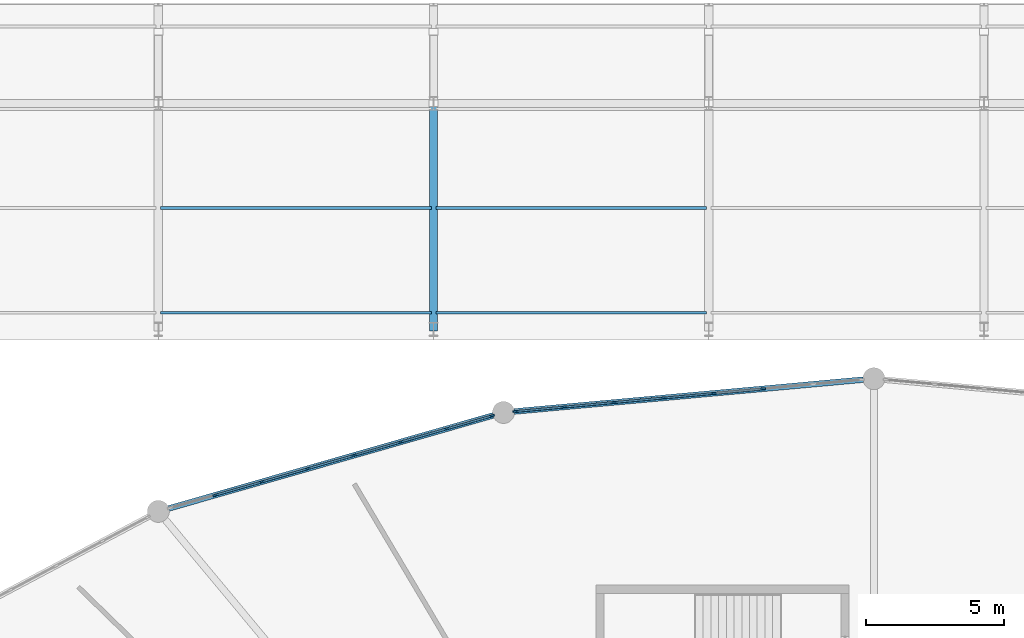
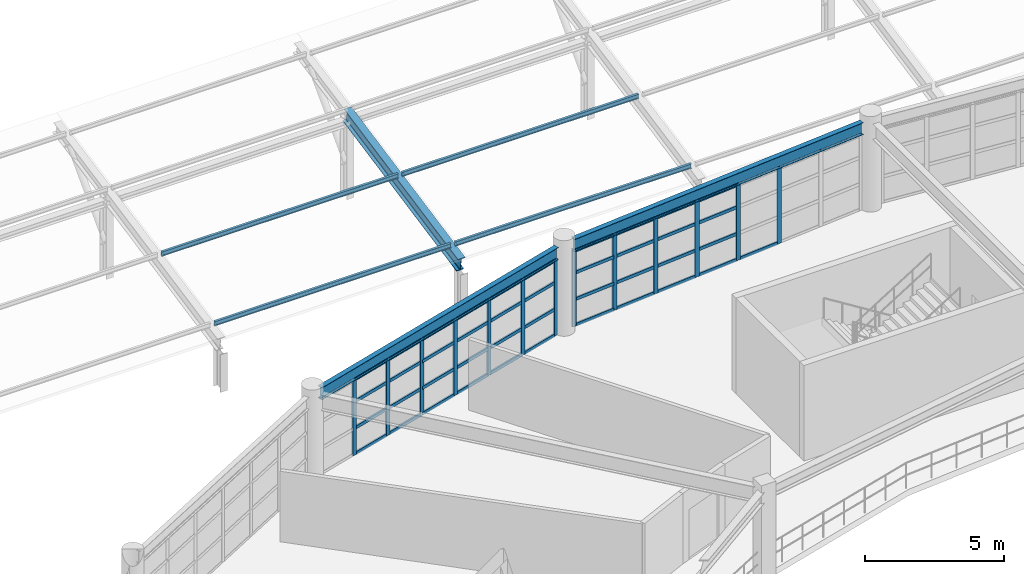
# One storey, part 38 of 100: 58 members, 3 beams, 2 elements without a shape of their own.
"""IFC4 building model written with IfcOpenShell, lengths in metres."""

from ifc_helpers import new_model, si_unit, direction, frame, origin, origin_2d, place, context, subcontext, project, spatial, rectangle, i_section, extrude, material, layer, layer_set, material_profile, profile_set, type_object, element, aggregate, save


model = new_model("IFC4")

# Units and contexts
model_context = context("Model", 3, precision=1e-05, world=origin(), true_north=direction((0.0, 1.0)))
body_context = subcontext(model_context, "Body", "Model", "MODEL_VIEW")
ifc_project = project(units=[si_unit("LENGTHUNIT", "METRE"), si_unit("AREAUNIT", "SQUARE_METRE"), si_unit("VOLUMEUNIT", "CUBIC_METRE"), si_unit("PLANEANGLEUNIT", "RADIAN"), si_unit("MASSUNIT", "GRAM", prefix="KILO")], contexts=[model_context])

# Site, building, storey
site_placement = place(None, origin())
site = spatial("IfcSite", under=ifc_project, at=site_placement, CompositionType="ELEMENT")
building_placement = place(site_placement, origin())
building = spatial("IfcBuilding", under=site, at=building_placement, Name="Kivolera Central Railway Station", CompositionType="ELEMENT")
storey_placement = place(building_placement, frame((0.0, 0.0, 5.39990234375)))
storey = spatial("IfcBuildingStorey", under=building, at=storey_placement, Name="L01", CompositionType="ELEMENT", Elevation=5.39990234375)

# Beams
ifc_material_1 = material(Name="Steel S355", Category="steel")
ifc_material_profile_1 = material_profile(ifc_material_1, i_section(OverallWidth=0.300048828125, OverallDepth=0.60009765625, WebThickness=0.015380859375, FlangeThickness=0.030029296875, FilletRadius=0.027099609375, at=origin_2d()), Name="HEB 600")
ifc_profile_set_1 = profile_set([ifc_material_profile_1], Name="Steel S355")
beam_type_1 = type_object("IfcBeamType", Name="BM-CAN-MAIN", PredefinedType="BEAM", material=ifc_profile_set_1)
beam_1_placement = place(storey_placement, frame((48.0, 127.800048828125, 1.940185546875), z_axis=(0.0, 0.98058292142, 0.196104906159), x_axis=(-1.0, 0.0, 0.0)))
element("IfcBeam", 1, at=beam_1_placement, inside=storey, type_object=beam_type_1, Name="Forecourt Canopy Main Back-Span Girder 3", PredefinedType="BEAM", context=body_context, shape_type="SweptSolid", body=[
    extrude(i_section(OverallWidth=0.300048828125, OverallDepth=0.60009765625, WebThickness=0.015380859375, FlangeThickness=0.030029296875, FilletRadius=0.027099609375, at=origin_2d()), origin(), (0.0, 0.0, 1.0), 8.3623046875),
])
ifc_material_profile_2 = material_profile(ifc_material_1, i_section(OverallWidth=0.209228515625, OverallDepth=0.533203125, WebThickness=0.010009765625, FlangeThickness=0.015625, FilletRadius=0.0126953125, at=origin_2d()), Name="UB 533x210x92")
ifc_profile_set_2 = profile_set([ifc_material_profile_2], Name="Steel S355")
beam_type_2 = type_object("IfcBeamType", Name="BM-SHD-UB533", PredefinedType="BEAM", material=ifc_profile_set_2)
beam_2_placement = place(storey_placement, frame((63.612060546875, 125.965087890625, 3.611083984375), z_axis=(-0.9958650324, -0.090845127787, 0.0), x_axis=(0.090845127787, -0.9958650324, 0.0)))
element("IfcBeam", 2, at=beam_2_placement, inside=storey, type_object=beam_type_2, Name="L01 Oval Perimeter Ring Beam 07", PredefinedType="BEAM", context=body_context, shape_type="SweptSolid", body=[
    extrude(i_section(OverallWidth=0.209228515625, OverallDepth=0.533203125, WebThickness=0.010009765625, FlangeThickness=0.015625, FilletRadius=0.0126953125, at=origin_2d()), origin(), (0.0, 0.0, 1.0), 12.73583984375),
])
beam_3_placement = place(storey_placement, frame((50.166015625, 124.666015625, 3.611083984375), z_axis=(-0.961238780007, -0.275717260631, 0.0), x_axis=(0.275717260631, -0.961238780007, 0.0)))
element("IfcBeam", 3, at=beam_3_placement, inside=storey, type_object=beam_type_2, Name="L01 Oval Perimeter Ring Beam 08", PredefinedType="BEAM", context=body_context, shape_type="SweptSolid", body=[
    extrude(i_section(OverallWidth=0.209228515625, OverallDepth=0.533203125, WebThickness=0.010009765625, FlangeThickness=0.015625, FilletRadius=0.0126953125, at=origin_2d()), origin(), (0.0, 0.0, 1.0), 12.266357421875),
])

# Curtain wall, members
ifc_material_2 = material(Name="Anodised aluminium", Category="aluminium")
ifc_layer_1 = layer(ifc_material_2, 0.179931640625, Name="Anodised aluminium")
ifc_layer_set_1 = layer_set([ifc_layer_1], Name="Anodised aluminium")
curtain_wall_type_1 = type_object("IfcCurtainWallType", Name="CW-SYS-12", PredefinedType="NOTDEFINED", material=ifc_layer_set_1)
curtain_wall_1_placement = place(storey_placement, origin())
curtain_wall_1 = element("IfcCurtainWall", 4, at=curtain_wall_1_placement, inside=storey, type_object=curtain_wall_type_1, Name="L01 Curtain Wall CW-L01-OVL-06", PredefinedType="NOTDEFINED")
ifc_material_profile_3 = material_profile(ifc_material_2, rectangle(XDim=0.070068359375, YDim=0.179931640625, at=origin_2d()), Name="ALU MULL 70x180")
ifc_profile_set_3 = profile_set([ifc_material_profile_3], Name="Anodised aluminium")
member_type_1 = type_object("IfcMemberType", Name="CWM-MUL-1", PredefinedType="MULLION", material=ifc_profile_set_3)
member_1_placement = place(storey_placement, frame((50.973876953125, 124.812255859375, -0.0048828125), z_axis=(0.0, 0.0, 1.0), x_axis=(-0.090833556942, 0.995866087852, 0.0)))
member_1 = element("IfcMember", 5, at=member_1_placement, type_object=member_type_1, Name="CW-12 mullion 1", PredefinedType="MULLION", context=body_context, shape_type="SweptSolid", body=[
    extrude(rectangle(XDim=0.070068359375, YDim=0.179931640625, at=origin_2d()), origin(), (0.0, 0.0, 1.0), 3.344970703125),
])
member_2_placement = place(storey_placement, frame((52.748046875, 124.97412109375, -0.0048828125), z_axis=(0.0, 0.0, 1.0), x_axis=(-0.090833556942, 0.995866087852, 0.0)))
member_2 = element("IfcMember", 6, at=member_2_placement, type_object=member_type_1, Name="CW-12 mullion 2", PredefinedType="MULLION", context=body_context, shape_type="SweptSolid", body=[
    extrude(rectangle(XDim=0.070068359375, YDim=0.179931640625, at=origin_2d()), origin(), (0.0, 0.0, 1.0), 3.344970703125),
])
member_3_placement = place(storey_placement, frame((54.556884765625, 125.138916015625, -0.0048828125), z_axis=(0.0, 0.0, 1.0), x_axis=(-0.090833556942, 0.995866087852, 0.0)))
member_3 = element("IfcMember", 7, at=member_3_placement, type_object=member_type_1, Name="CW-12 mullion 3", PredefinedType="MULLION", context=body_context, shape_type="SweptSolid", body=[
    extrude(rectangle(XDim=0.070068359375, YDim=0.179931640625, at=origin_2d()), origin(), (0.0, 0.0, 1.0), 3.344970703125),
])
member_4_placement = place(storey_placement, frame((56.365966796875, 125.303955078125, -0.0048828125), z_axis=(0.0, 0.0, 1.0), x_axis=(-0.090833556942, 0.995866087852, 0.0)))
member_4 = element("IfcMember", 8, at=member_4_placement, type_object=member_type_1, Name="CW-12 mullion 4", PredefinedType="MULLION", context=body_context, shape_type="SweptSolid", body=[
    extrude(rectangle(XDim=0.070068359375, YDim=0.179931640625, at=origin_2d()), origin(), (0.0, 0.0, 1.0), 3.344970703125),
])
member_5_placement = place(storey_placement, frame((58.175048828125, 125.468994140625, -0.0048828125), z_axis=(0.0, 0.0, 1.0), x_axis=(-0.090833556942, 0.995866087852, 0.0)))
member_5 = element("IfcMember", 9, at=member_5_placement, type_object=member_type_1, Name="CW-12 mullion 5", PredefinedType="MULLION", context=body_context, shape_type="SweptSolid", body=[
    extrude(rectangle(XDim=0.070068359375, YDim=0.179931640625, at=origin_2d()), origin(), (0.0, 0.0, 1.0), 3.344970703125),
])
member_6_placement = place(storey_placement, frame((59.98388671875, 125.634033203125, -0.0048828125), z_axis=(0.0, 0.0, 1.0), x_axis=(-0.090833556942, 0.995866087852, 0.0)))
member_6 = element("IfcMember", 10, at=member_6_placement, type_object=member_type_1, Name="CW-12 mullion 6", PredefinedType="MULLION", context=body_context, shape_type="SweptSolid", body=[
    extrude(rectangle(XDim=0.070068359375, YDim=0.179931640625, at=origin_2d()), origin(), (0.0, 0.0, 1.0), 3.344970703125),
])

ifc_layer_2 = layer(ifc_material_2, 0.179931640625, Name="Anodised aluminium")
ifc_layer_set_2 = layer_set([ifc_layer_2], Name="Anodised aluminium")
curtain_wall_type_2 = type_object("IfcCurtainWallType", Name="CW-SYS-10", PredefinedType="NOTDEFINED", material=ifc_layer_set_2)
curtain_wall_2_placement = place(storey_placement, origin())
curtain_wall_2 = element("IfcCurtainWall", 11, at=curtain_wall_2_placement, inside=storey, type_object=curtain_wall_type_2, Name="L01 Curtain Wall CW-L01-OVL-07", PredefinedType="NOTDEFINED")
member_7_placement = place(storey_placement, frame((40.066650390625, 121.769287109375, -0.0048828125), z_axis=(0.0, 0.0, 1.0), x_axis=(-0.27569168989, 0.961246114232, 0.0)))
member_7 = element("IfcMember", 12, at=member_7_placement, type_object=member_type_1, Name="CW-10 mullion 2", PredefinedType="MULLION", context=body_context, shape_type="SweptSolid", body=[
    extrude(rectangle(XDim=0.070068359375, YDim=0.179931640625, at=origin_2d()), origin(), (0.0, 0.0, 1.0), 3.344970703125),
])
member_8_placement = place(storey_placement, frame((41.748046875, 122.25146484375, -0.0048828125), z_axis=(0.0, 0.0, 1.0), x_axis=(-0.27569168989, 0.961246114232, 0.0)))
member_8 = element("IfcMember", 13, at=member_8_placement, type_object=member_type_1, Name="CW-10 mullion 3", PredefinedType="MULLION", context=body_context, shape_type="SweptSolid", body=[
    extrude(rectangle(XDim=0.070068359375, YDim=0.179931640625, at=origin_2d()), origin(), (0.0, 0.0, 1.0), 3.344970703125),
])
member_9_placement = place(storey_placement, frame((43.4296875, 122.73388671875, -0.0048828125), z_axis=(0.0, 0.0, 1.0), x_axis=(-0.27569168989, 0.961246114232, 0.0)))
member_9 = element("IfcMember", 14, at=member_9_placement, type_object=member_type_1, Name="CW-10 mullion 4", PredefinedType="MULLION", context=body_context, shape_type="SweptSolid", body=[
    extrude(rectangle(XDim=0.070068359375, YDim=0.179931640625, at=origin_2d()), origin(), (0.0, 0.0, 1.0), 3.344970703125),
])
member_10_placement = place(storey_placement, frame((45.111328125, 123.216064453125, -0.0048828125), z_axis=(0.0, 0.0, 1.0), x_axis=(-0.27569168989, 0.961246114232, 0.0)))
member_10 = element("IfcMember", 15, at=member_10_placement, type_object=member_type_1, Name="CW-10 mullion 5", PredefinedType="MULLION", context=body_context, shape_type="SweptSolid", body=[
    extrude(rectangle(XDim=0.070068359375, YDim=0.179931640625, at=origin_2d()), origin(), (0.0, 0.0, 1.0), 3.344970703125),
])
member_11_placement = place(storey_placement, frame((46.79296875, 123.698486328125, -0.0048828125), z_axis=(0.0, 0.0, 1.0), x_axis=(-0.27569168989, 0.961246114232, 0.0)))
member_11 = element("IfcMember", 16, at=member_11_placement, type_object=member_type_1, Name="CW-10 mullion 6", PredefinedType="MULLION", context=body_context, shape_type="SweptSolid", body=[
    extrude(rectangle(XDim=0.070068359375, YDim=0.179931640625, at=origin_2d()), origin(), (0.0, 0.0, 1.0), 3.344970703125),
])
member_12_placement = place(storey_placement, frame((48.474365234375, 124.1806640625, -0.0048828125), z_axis=(0.0, 0.0, 1.0), x_axis=(-0.27569168989, 0.961246114232, 0.0)))
member_12 = element("IfcMember", 17, at=member_12_placement, type_object=member_type_1, Name="CW-10 mullion 7", PredefinedType="MULLION", context=body_context, shape_type="SweptSolid", body=[
    extrude(rectangle(XDim=0.070068359375, YDim=0.179931640625, at=origin_2d()), origin(), (0.0, 0.0, 1.0), 3.344970703125),
])
member_13_placement = place(storey_placement, frame((50.122314453125, 124.6533203125, -0.0048828125), z_axis=(0.0, 0.0, 1.0), x_axis=(-0.27569168989, 0.961246114232, 0.0)))
member_13 = element("IfcMember", 18, at=member_13_placement, type_object=member_type_1, Name="CW-10 mullion 8", PredefinedType="MULLION", context=body_context, shape_type="SweptSolid", body=[
    extrude(rectangle(XDim=0.070068359375, YDim=0.179931640625, at=origin_2d()), origin(), (0.0, 0.0, 1.0), 3.344970703125),
])

# Member
ifc_material_profile_4 = material_profile(ifc_material_2, rectangle(XDim=0.070068359375, YDim=0.139892578125, at=origin_2d()), Name="ALU TRAN 70x140")
ifc_profile_set_4 = profile_set([ifc_material_profile_4], Name="Anodised aluminium")
member_type_2 = type_object("IfcMemberType", Name="CWM-TRN-1", PredefinedType="USERDEFINED", material=ifc_profile_set_4)
member_14_placement = place(storey_placement, frame((51.0087890625, 124.8154296875, 0.03515625), z_axis=(0.995875648211, 0.090728679596, 0.0), x_axis=(-0.090728679596, 0.995875648211, 0.0)))
member_14 = element("IfcMember", 19, at=member_14_placement, type_object=member_type_2, Name="CW-12 transom 1.1", ObjectType="TRANSOM", PredefinedType="USERDEFINED", context=body_context, shape_type="SweptSolid", body=[
    extrude(rectangle(XDim=0.070068359375, YDim=0.139892578125, at=origin_2d()), origin(), (0.0, 0.0, 1.0), 1.71142578125),
])

member_15_placement = place(storey_placement, frame((51.0087890625, 124.8154296875, 1.169189453125), z_axis=(0.995875648211, 0.090728679596, 0.0), x_axis=(-0.090728679596, 0.995875648211, 0.0)))
member_15 = element("IfcMember", 20, at=member_15_placement, type_object=member_type_2, Name="CW-12 transom 1.2", ObjectType="TRANSOM", PredefinedType="USERDEFINED", context=body_context, shape_type="SweptSolid", body=[
    extrude(rectangle(XDim=0.070068359375, YDim=0.139892578125, at=origin_2d()), origin(), (0.0, 0.0, 1.0), 1.71142578125),
])

member_16_placement = place(storey_placement, frame((51.0087890625, 124.8154296875, 2.338134765625), z_axis=(0.995875648211, 0.090728679596, 0.0), x_axis=(-0.090728679596, 0.995875648211, 0.0)))
member_16 = element("IfcMember", 21, at=member_16_placement, type_object=member_type_2, Name="CW-12 transom 1.3", ObjectType="TRANSOM", PredefinedType="USERDEFINED", context=body_context, shape_type="SweptSolid", body=[
    extrude(rectangle(XDim=0.070068359375, YDim=0.139892578125, at=origin_2d()), origin(), (0.0, 0.0, 1.0), 1.71142578125),
])

member_17_placement = place(storey_placement, frame((51.0087890625, 124.8154296875, 3.30517578125), z_axis=(0.995875648211, 0.090728679596, 0.0), x_axis=(-0.090728679596, 0.995875648211, 0.0)))
member_17 = element("IfcMember", 22, at=member_17_placement, type_object=member_type_2, Name="CW-12 transom 1.4", ObjectType="TRANSOM", PredefinedType="USERDEFINED", context=body_context, shape_type="SweptSolid", body=[
    extrude(rectangle(XDim=0.070068359375, YDim=0.139892578125, at=origin_2d()), origin(), (0.0, 0.0, 1.0), 1.71142578125),
])

member_18_placement = place(storey_placement, frame((52.782958984375, 124.977294921875, 0.03515625), z_axis=(0.995876001019, 0.090724806943, 0.0), x_axis=(-0.090724806943, 0.995876001019, 0.0)))
member_18 = element("IfcMember", 23, at=member_18_placement, type_object=member_type_2, Name="CW-12 transom 2.1", ObjectType="TRANSOM", PredefinedType="USERDEFINED", context=body_context, shape_type="SweptSolid", body=[
    extrude(rectangle(XDim=0.070068359375, YDim=0.139892578125, at=origin_2d()), origin(), (0.0, 0.0, 1.0), 1.74658203125),
])

member_19_placement = place(storey_placement, frame((52.782958984375, 124.977294921875, 1.169189453125), z_axis=(0.995876001019, 0.090724806943, 0.0), x_axis=(-0.090724806943, 0.995876001019, 0.0)))
member_19 = element("IfcMember", 24, at=member_19_placement, type_object=member_type_2, Name="CW-12 transom 2.2", ObjectType="TRANSOM", PredefinedType="USERDEFINED", context=body_context, shape_type="SweptSolid", body=[
    extrude(rectangle(XDim=0.070068359375, YDim=0.139892578125, at=origin_2d()), origin(), (0.0, 0.0, 1.0), 1.74658203125),
])

member_20_placement = place(storey_placement, frame((52.782958984375, 124.977294921875, 2.338134765625), z_axis=(0.995876001019, 0.090724806943, 0.0), x_axis=(-0.090724806943, 0.995876001019, 0.0)))
member_20 = element("IfcMember", 25, at=member_20_placement, type_object=member_type_2, Name="CW-12 transom 2.3", ObjectType="TRANSOM", PredefinedType="USERDEFINED", context=body_context, shape_type="SweptSolid", body=[
    extrude(rectangle(XDim=0.070068359375, YDim=0.139892578125, at=origin_2d()), origin(), (0.0, 0.0, 1.0), 1.74658203125),
])

member_21_placement = place(storey_placement, frame((52.782958984375, 124.977294921875, 3.30517578125), z_axis=(0.995876001019, 0.090724806943, 0.0), x_axis=(-0.090724806943, 0.995876001019, 0.0)))
member_21 = element("IfcMember", 26, at=member_21_placement, type_object=member_type_2, Name="CW-12 transom 2.4", ObjectType="TRANSOM", PredefinedType="USERDEFINED", context=body_context, shape_type="SweptSolid", body=[
    extrude(rectangle(XDim=0.070068359375, YDim=0.139892578125, at=origin_2d()), origin(), (0.0, 0.0, 1.0), 1.74658203125),
])

member_22_placement = place(storey_placement, frame((54.591796875, 125.14208984375, 0.03515625), z_axis=(0.995863361258, 0.09086344537, 0.0), x_axis=(-0.09086344537, 0.995863361258, 0.0)))
member_22 = element("IfcMember", 27, at=member_22_placement, type_object=member_type_2, Name="CW-12 transom 3.1", ObjectType="TRANSOM", PredefinedType="USERDEFINED", context=body_context, shape_type="SweptSolid", body=[
    extrude(rectangle(XDim=0.070068359375, YDim=0.139892578125, at=origin_2d()), origin(), (0.0, 0.0, 1.0), 1.74658203125),
])

member_23_placement = place(storey_placement, frame((54.591796875, 125.14208984375, 1.169189453125), z_axis=(0.995863361258, 0.09086344537, 0.0), x_axis=(-0.09086344537, 0.995863361258, 0.0)))
member_23 = element("IfcMember", 28, at=member_23_placement, type_object=member_type_2, Name="CW-12 transom 3.2", ObjectType="TRANSOM", PredefinedType="USERDEFINED", context=body_context, shape_type="SweptSolid", body=[
    extrude(rectangle(XDim=0.070068359375, YDim=0.139892578125, at=origin_2d()), origin(), (0.0, 0.0, 1.0), 1.74658203125),
])

member_24_placement = place(storey_placement, frame((54.591796875, 125.14208984375, 2.338134765625), z_axis=(0.995863361258, 0.09086344537, 0.0), x_axis=(-0.09086344537, 0.995863361258, 0.0)))
member_24 = element("IfcMember", 29, at=member_24_placement, type_object=member_type_2, Name="CW-12 transom 3.3", ObjectType="TRANSOM", PredefinedType="USERDEFINED", context=body_context, shape_type="SweptSolid", body=[
    extrude(rectangle(XDim=0.070068359375, YDim=0.139892578125, at=origin_2d()), origin(), (0.0, 0.0, 1.0), 1.74658203125),
])

member_25_placement = place(storey_placement, frame((54.591796875, 125.14208984375, 3.30517578125), z_axis=(0.995863361258, 0.09086344537, 0.0), x_axis=(-0.09086344537, 0.995863361258, 0.0)))
member_25 = element("IfcMember", 30, at=member_25_placement, type_object=member_type_2, Name="CW-12 transom 3.4", ObjectType="TRANSOM", PredefinedType="USERDEFINED", context=body_context, shape_type="SweptSolid", body=[
    extrude(rectangle(XDim=0.070068359375, YDim=0.139892578125, at=origin_2d()), origin(), (0.0, 0.0, 1.0), 1.74658203125),
])

member_26_placement = place(storey_placement, frame((56.40087890625, 125.30712890625, 0.03515625), z_axis=(0.995863361258, 0.09086344537, 0.0), x_axis=(-0.09086344537, 0.995863361258, 0.0)))
member_26 = element("IfcMember", 31, at=member_26_placement, type_object=member_type_2, Name="CW-12 transom 4.1", ObjectType="TRANSOM", PredefinedType="USERDEFINED", context=body_context, shape_type="SweptSolid", body=[
    extrude(rectangle(XDim=0.070068359375, YDim=0.139892578125, at=origin_2d()), origin(), (0.0, 0.0, 1.0), 1.74658203125),
])

member_27_placement = place(storey_placement, frame((56.40087890625, 125.30712890625, 1.169189453125), z_axis=(0.995863361258, 0.09086344537, 0.0), x_axis=(-0.09086344537, 0.995863361258, 0.0)))
member_27 = element("IfcMember", 32, at=member_27_placement, type_object=member_type_2, Name="CW-12 transom 4.2", ObjectType="TRANSOM", PredefinedType="USERDEFINED", context=body_context, shape_type="SweptSolid", body=[
    extrude(rectangle(XDim=0.070068359375, YDim=0.139892578125, at=origin_2d()), origin(), (0.0, 0.0, 1.0), 1.74658203125),
])

member_28_placement = place(storey_placement, frame((56.40087890625, 125.30712890625, 2.338134765625), z_axis=(0.995863361258, 0.09086344537, 0.0), x_axis=(-0.09086344537, 0.995863361258, 0.0)))
member_28 = element("IfcMember", 33, at=member_28_placement, type_object=member_type_2, Name="CW-12 transom 4.3", ObjectType="TRANSOM", PredefinedType="USERDEFINED", context=body_context, shape_type="SweptSolid", body=[
    extrude(rectangle(XDim=0.070068359375, YDim=0.139892578125, at=origin_2d()), origin(), (0.0, 0.0, 1.0), 1.74658203125),
])

member_29_placement = place(storey_placement, frame((56.40087890625, 125.30712890625, 3.30517578125), z_axis=(0.995863361258, 0.09086344537, 0.0), x_axis=(-0.09086344537, 0.995863361258, 0.0)))
member_29 = element("IfcMember", 34, at=member_29_placement, type_object=member_type_2, Name="CW-12 transom 4.4", ObjectType="TRANSOM", PredefinedType="USERDEFINED", context=body_context, shape_type="SweptSolid", body=[
    extrude(rectangle(XDim=0.070068359375, YDim=0.139892578125, at=origin_2d()), origin(), (0.0, 0.0, 1.0), 1.74658203125),
])

member_30_placement = place(storey_placement, frame((58.2099609375, 125.47216796875, 0.03515625), z_axis=(0.995863361258, 0.09086344537, 0.0), x_axis=(-0.09086344537, 0.995863361258, 0.0)))
member_30 = element("IfcMember", 35, at=member_30_placement, type_object=member_type_2, Name="CW-12 transom 5.1", ObjectType="TRANSOM", PredefinedType="USERDEFINED", context=body_context, shape_type="SweptSolid", body=[
    extrude(rectangle(XDim=0.070068359375, YDim=0.139892578125, at=origin_2d()), origin(), (0.0, 0.0, 1.0), 1.74658203125),
])

aggregate(curtain_wall_1, [member_1, member_2, member_3, member_4, member_5, member_6, member_14, member_15, member_16, member_17, member_18, member_19, member_20, member_21, member_22, member_23, member_24, member_25, member_26, member_27, member_28, member_29, member_30])

member_31_placement = place(storey_placement, frame((40.10009765625, 121.779052734375, 0.03515625), z_axis=(0.961271217599, 0.275604147674, 0.0), x_axis=(-0.275604147674, 0.961271217599, 0.0)))
member_31 = element("IfcMember", 36, at=member_31_placement, type_object=member_type_2, Name="CW-10 transom 2.1", ObjectType="TRANSOM", PredefinedType="USERDEFINED", context=body_context, shape_type="SweptSolid", body=[
    extrude(rectangle(XDim=0.070068359375, YDim=0.139892578125, at=origin_2d()), origin(), (0.0, 0.0, 1.0), 1.679443359375),
])

member_32_placement = place(storey_placement, frame((40.10009765625, 121.779052734375, 1.169189453125), z_axis=(0.961271217599, 0.275604147674, 0.0), x_axis=(-0.275604147674, 0.961271217599, 0.0)))
member_32 = element("IfcMember", 37, at=member_32_placement, type_object=member_type_2, Name="CW-10 transom 2.2", ObjectType="TRANSOM", PredefinedType="USERDEFINED", context=body_context, shape_type="SweptSolid", body=[
    extrude(rectangle(XDim=0.070068359375, YDim=0.139892578125, at=origin_2d()), origin(), (0.0, 0.0, 1.0), 1.679443359375),
])

member_33_placement = place(storey_placement, frame((40.10009765625, 121.779052734375, 2.338134765625), z_axis=(0.961271217599, 0.275604147674, 0.0), x_axis=(-0.275604147674, 0.961271217599, 0.0)))
member_33 = element("IfcMember", 38, at=member_33_placement, type_object=member_type_2, Name="CW-10 transom 2.3", ObjectType="TRANSOM", PredefinedType="USERDEFINED", context=body_context, shape_type="SweptSolid", body=[
    extrude(rectangle(XDim=0.070068359375, YDim=0.139892578125, at=origin_2d()), origin(), (0.0, 0.0, 1.0), 1.679443359375),
])

member_34_placement = place(storey_placement, frame((40.10009765625, 121.779052734375, 3.30517578125), z_axis=(0.961271217599, 0.275604147674, 0.0), x_axis=(-0.275604147674, 0.961271217599, 0.0)))
member_34 = element("IfcMember", 39, at=member_34_placement, type_object=member_type_2, Name="CW-10 transom 2.4", ObjectType="TRANSOM", PredefinedType="USERDEFINED", context=body_context, shape_type="SweptSolid", body=[
    extrude(rectangle(XDim=0.070068359375, YDim=0.139892578125, at=origin_2d()), origin(), (0.0, 0.0, 1.0), 1.679443359375),
])

member_35_placement = place(storey_placement, frame((41.78173828125, 122.26123046875, 0.03515625), z_axis=(0.961260174018, 0.27564266333, 0.0), x_axis=(-0.27564266333, 0.961260174018, 0.0)))
member_35 = element("IfcMember", 40, at=member_35_placement, type_object=member_type_2, Name="CW-10 transom 3.1", ObjectType="TRANSOM", PredefinedType="USERDEFINED", context=body_context, shape_type="SweptSolid", body=[
    extrude(rectangle(XDim=0.070068359375, YDim=0.139892578125, at=origin_2d()), origin(), (0.0, 0.0, 1.0), 1.67919921875),
])

member_36_placement = place(storey_placement, frame((41.78173828125, 122.26123046875, 1.169189453125), z_axis=(0.961260174018, 0.27564266333, 0.0), x_axis=(-0.27564266333, 0.961260174018, 0.0)))
member_36 = element("IfcMember", 41, at=member_36_placement, type_object=member_type_2, Name="CW-10 transom 3.2", ObjectType="TRANSOM", PredefinedType="USERDEFINED", context=body_context, shape_type="SweptSolid", body=[
    extrude(rectangle(XDim=0.070068359375, YDim=0.139892578125, at=origin_2d()), origin(), (0.0, 0.0, 1.0), 1.67919921875),
])

member_37_placement = place(storey_placement, frame((41.78173828125, 122.26123046875, 2.338134765625), z_axis=(0.961260174018, 0.27564266333, 0.0), x_axis=(-0.27564266333, 0.961260174018, 0.0)))
member_37 = element("IfcMember", 42, at=member_37_placement, type_object=member_type_2, Name="CW-10 transom 3.3", ObjectType="TRANSOM", PredefinedType="USERDEFINED", context=body_context, shape_type="SweptSolid", body=[
    extrude(rectangle(XDim=0.070068359375, YDim=0.139892578125, at=origin_2d()), origin(), (0.0, 0.0, 1.0), 1.67919921875),
])

member_38_placement = place(storey_placement, frame((41.78173828125, 122.26123046875, 3.30517578125), z_axis=(0.961260174018, 0.27564266333, 0.0), x_axis=(-0.27564266333, 0.961260174018, 0.0)))
member_38 = element("IfcMember", 43, at=member_38_placement, type_object=member_type_2, Name="CW-10 transom 3.4", ObjectType="TRANSOM", PredefinedType="USERDEFINED", context=body_context, shape_type="SweptSolid", body=[
    extrude(rectangle(XDim=0.070068359375, YDim=0.139892578125, at=origin_2d()), origin(), (0.0, 0.0, 1.0), 1.67919921875),
])

member_39_placement = place(storey_placement, frame((43.46337890625, 122.743408203125, 0.03515625), z_axis=(0.961221645359, 0.275776990509, 0.0), x_axis=(-0.275776990509, 0.961221645359, 0.0)))
member_39 = element("IfcMember", 44, at=member_39_placement, type_object=member_type_2, Name="CW-10 transom 4.1", ObjectType="TRANSOM", PredefinedType="USERDEFINED", context=body_context, shape_type="SweptSolid", body=[
    extrude(rectangle(XDim=0.070068359375, YDim=0.139892578125, at=origin_2d()), origin(), (0.0, 0.0, 1.0), 1.679443359375),
])

member_40_placement = place(storey_placement, frame((43.46337890625, 122.743408203125, 1.169189453125), z_axis=(0.961221645359, 0.275776990509, 0.0), x_axis=(-0.275776990509, 0.961221645359, 0.0)))
member_40 = element("IfcMember", 45, at=member_40_placement, type_object=member_type_2, Name="CW-10 transom 4.2", ObjectType="TRANSOM", PredefinedType="USERDEFINED", context=body_context, shape_type="SweptSolid", body=[
    extrude(rectangle(XDim=0.070068359375, YDim=0.139892578125, at=origin_2d()), origin(), (0.0, 0.0, 1.0), 1.679443359375),
])

member_41_placement = place(storey_placement, frame((43.46337890625, 122.743408203125, 2.338134765625), z_axis=(0.961221645359, 0.275776990509, 0.0), x_axis=(-0.275776990509, 0.961221645359, 0.0)))
member_41 = element("IfcMember", 46, at=member_41_placement, type_object=member_type_2, Name="CW-10 transom 4.3", ObjectType="TRANSOM", PredefinedType="USERDEFINED", context=body_context, shape_type="SweptSolid", body=[
    extrude(rectangle(XDim=0.070068359375, YDim=0.139892578125, at=origin_2d()), origin(), (0.0, 0.0, 1.0), 1.679443359375),
])

member_42_placement = place(storey_placement, frame((43.46337890625, 122.743408203125, 3.30517578125), z_axis=(0.961221645359, 0.275776990509, 0.0), x_axis=(-0.275776990509, 0.961221645359, 0.0)))
member_42 = element("IfcMember", 47, at=member_42_placement, type_object=member_type_2, Name="CW-10 transom 4.4", ObjectType="TRANSOM", PredefinedType="USERDEFINED", context=body_context, shape_type="SweptSolid", body=[
    extrude(rectangle(XDim=0.070068359375, YDim=0.139892578125, at=origin_2d()), origin(), (0.0, 0.0, 1.0), 1.679443359375),
])

member_43_placement = place(storey_placement, frame((45.14501953125, 123.225830078125, 0.03515625), z_axis=(0.961260174018, 0.27564266333, 0.0), x_axis=(-0.27564266333, 0.961260174018, 0.0)))
member_43 = element("IfcMember", 48, at=member_43_placement, type_object=member_type_2, Name="CW-10 transom 5.1", ObjectType="TRANSOM", PredefinedType="USERDEFINED", context=body_context, shape_type="SweptSolid", body=[
    extrude(rectangle(XDim=0.070068359375, YDim=0.139892578125, at=origin_2d()), origin(), (0.0, 0.0, 1.0), 1.67919921875),
])

member_44_placement = place(storey_placement, frame((45.14501953125, 123.225830078125, 1.169189453125), z_axis=(0.961260174018, 0.27564266333, 0.0), x_axis=(-0.27564266333, 0.961260174018, 0.0)))
member_44 = element("IfcMember", 49, at=member_44_placement, type_object=member_type_2, Name="CW-10 transom 5.2", ObjectType="TRANSOM", PredefinedType="USERDEFINED", context=body_context, shape_type="SweptSolid", body=[
    extrude(rectangle(XDim=0.070068359375, YDim=0.139892578125, at=origin_2d()), origin(), (0.0, 0.0, 1.0), 1.67919921875),
])

member_45_placement = place(storey_placement, frame((45.14501953125, 123.225830078125, 2.338134765625), z_axis=(0.961260174018, 0.27564266333, 0.0), x_axis=(-0.27564266333, 0.961260174018, 0.0)))
member_45 = element("IfcMember", 50, at=member_45_placement, type_object=member_type_2, Name="CW-10 transom 5.3", ObjectType="TRANSOM", PredefinedType="USERDEFINED", context=body_context, shape_type="SweptSolid", body=[
    extrude(rectangle(XDim=0.070068359375, YDim=0.139892578125, at=origin_2d()), origin(), (0.0, 0.0, 1.0), 1.67919921875),
])

member_46_placement = place(storey_placement, frame((45.14501953125, 123.225830078125, 3.30517578125), z_axis=(0.961260174018, 0.27564266333, 0.0), x_axis=(-0.27564266333, 0.961260174018, 0.0)))
member_46 = element("IfcMember", 51, at=member_46_placement, type_object=member_type_2, Name="CW-10 transom 5.4", ObjectType="TRANSOM", PredefinedType="USERDEFINED", context=body_context, shape_type="SweptSolid", body=[
    extrude(rectangle(XDim=0.070068359375, YDim=0.139892578125, at=origin_2d()), origin(), (0.0, 0.0, 1.0), 1.67919921875),
])

member_47_placement = place(storey_placement, frame((46.826416015625, 123.7080078125, 0.03515625), z_axis=(0.961221645359, 0.275776990509, 0.0), x_axis=(-0.275776990509, 0.961221645359, 0.0)))
member_47 = element("IfcMember", 52, at=member_47_placement, type_object=member_type_2, Name="CW-10 transom 6.1", ObjectType="TRANSOM", PredefinedType="USERDEFINED", context=body_context, shape_type="SweptSolid", body=[
    extrude(rectangle(XDim=0.070068359375, YDim=0.139892578125, at=origin_2d()), origin(), (0.0, 0.0, 1.0), 1.679443359375),
])

member_48_placement = place(storey_placement, frame((46.826416015625, 123.7080078125, 1.169189453125), z_axis=(0.961221645359, 0.275776990509, 0.0), x_axis=(-0.275776990509, 0.961221645359, 0.0)))
member_48 = element("IfcMember", 53, at=member_48_placement, type_object=member_type_2, Name="CW-10 transom 6.2", ObjectType="TRANSOM", PredefinedType="USERDEFINED", context=body_context, shape_type="SweptSolid", body=[
    extrude(rectangle(XDim=0.070068359375, YDim=0.139892578125, at=origin_2d()), origin(), (0.0, 0.0, 1.0), 1.679443359375),
])

member_49_placement = place(storey_placement, frame((46.826416015625, 123.7080078125, 2.338134765625), z_axis=(0.961221645359, 0.275776990509, 0.0), x_axis=(-0.275776990509, 0.961221645359, 0.0)))
member_49 = element("IfcMember", 54, at=member_49_placement, type_object=member_type_2, Name="CW-10 transom 6.3", ObjectType="TRANSOM", PredefinedType="USERDEFINED", context=body_context, shape_type="SweptSolid", body=[
    extrude(rectangle(XDim=0.070068359375, YDim=0.139892578125, at=origin_2d()), origin(), (0.0, 0.0, 1.0), 1.679443359375),
])

member_50_placement = place(storey_placement, frame((46.826416015625, 123.7080078125, 3.30517578125), z_axis=(0.961221645359, 0.275776990509, 0.0), x_axis=(-0.275776990509, 0.961221645359, 0.0)))
member_50 = element("IfcMember", 55, at=member_50_placement, type_object=member_type_2, Name="CW-10 transom 6.4", ObjectType="TRANSOM", PredefinedType="USERDEFINED", context=body_context, shape_type="SweptSolid", body=[
    extrude(rectangle(XDim=0.070068359375, YDim=0.139892578125, at=origin_2d()), origin(), (0.0, 0.0, 1.0), 1.679443359375),
])

member_51_placement = place(storey_placement, frame((48.508056640625, 124.1904296875, 0.03515625), z_axis=(0.961237680042, 0.275721095434, 0.0), x_axis=(-0.275721095434, 0.961237680042, 0.0)))
member_51 = element("IfcMember", 56, at=member_51_placement, type_object=member_type_2, Name="CW-10 transom 7.1", ObjectType="TRANSOM", PredefinedType="USERDEFINED", context=body_context, shape_type="SweptSolid", body=[
    extrude(rectangle(XDim=0.070068359375, YDim=0.139892578125, at=origin_2d()), origin(), (0.0, 0.0, 1.0), 1.644287109375),
])

member_52_placement = place(storey_placement, frame((48.508056640625, 124.1904296875, 1.169189453125), z_axis=(0.961237680042, 0.275721095434, 0.0), x_axis=(-0.275721095434, 0.961237680042, 0.0)))
member_52 = element("IfcMember", 57, at=member_52_placement, type_object=member_type_2, Name="CW-10 transom 7.2", ObjectType="TRANSOM", PredefinedType="USERDEFINED", context=body_context, shape_type="SweptSolid", body=[
    extrude(rectangle(XDim=0.070068359375, YDim=0.139892578125, at=origin_2d()), origin(), (0.0, 0.0, 1.0), 1.644287109375),
])

member_53_placement = place(storey_placement, frame((48.508056640625, 124.1904296875, 2.338134765625), z_axis=(0.961237680042, 0.275721095434, 0.0), x_axis=(-0.275721095434, 0.961237680042, 0.0)))
member_53 = element("IfcMember", 58, at=member_53_placement, type_object=member_type_2, Name="CW-10 transom 7.3", ObjectType="TRANSOM", PredefinedType="USERDEFINED", context=body_context, shape_type="SweptSolid", body=[
    extrude(rectangle(XDim=0.070068359375, YDim=0.139892578125, at=origin_2d()), origin(), (0.0, 0.0, 1.0), 1.644287109375),
])

member_54_placement = place(storey_placement, frame((48.508056640625, 124.1904296875, 3.30517578125), z_axis=(0.961237680042, 0.275721095434, 0.0), x_axis=(-0.275721095434, 0.961237680042, 0.0)))
member_54 = element("IfcMember", 59, at=member_54_placement, type_object=member_type_2, Name="CW-10 transom 7.4", ObjectType="TRANSOM", PredefinedType="USERDEFINED", context=body_context, shape_type="SweptSolid", body=[
    extrude(rectangle(XDim=0.070068359375, YDim=0.139892578125, at=origin_2d()), origin(), (0.0, 0.0, 1.0), 1.644287109375),
])

aggregate(curtain_wall_2, [member_7, member_8, member_9, member_10, member_11, member_12, member_13, member_31, member_32, member_33, member_34, member_35, member_36, member_37, member_38, member_39, member_40, member_41, member_42, member_43, member_44, member_45, member_46, member_47, member_48, member_49, member_50, member_51, member_52, member_53, member_54])

# Members
ifc_material_profile_5 = material_profile(ifc_material_1, i_section(OverallWidth=0.10009765625, OverallDepth=0.199951171875, WebThickness=0.005615234375, FlangeThickness=0.008544921875, FilletRadius=0.011962890625, at=origin_2d()), Name="IPE 200")
ifc_profile_set_5 = profile_set([ifc_material_profile_5], Name="Steel S355")
member_type_3 = type_object("IfcMemberType", Name="MEM-PUR-IPE200", PredefinedType="PURLIN", material=ifc_profile_set_5)
for number, where, z_axis, x_axis, name in (
    (60, (38.080078125, 128.39990234375, 2.4521484375), (1.0, 0.0, 0.0), (0.0, 1.0, 0.0), "Forecourt Canopy Purlin 38-1"),
    (61, (38.080078125, 132.199951171875, 3.212158203125), (1.0, 0.0, 0.0), (0.0, 1.0, 0.0), "Forecourt Canopy Purlin 38-2"),
    (62, (48.080078125, 128.39990234375, 2.4521484375), (1.0, 0.0, 0.0), (0.0, 1.0, 0.0), "Forecourt Canopy Purlin 48-1"),
    (63, (48.080078125, 132.199951171875, 3.212158203125), (1.0, 0.0, 0.0), (0.0, 1.0, 0.0), "Forecourt Canopy Purlin 48-2"),
):
    element("IfcMember", number, at=place(storey_placement, frame(where, z_axis=z_axis, x_axis=x_axis)), inside=storey, type_object=member_type_3, Name=name, PredefinedType="PURLIN", context=body_context, shape_type="SweptSolid", body=[
        extrude(i_section(OverallWidth=0.10009765625, OverallDepth=0.199951171875, WebThickness=0.005615234375, FlangeThickness=0.008544921875, FilletRadius=0.011962890625, at=origin_2d()), origin(), (0.0, 0.0, 1.0), 9.83984375),
    ])

save(model, "model.ifc")
